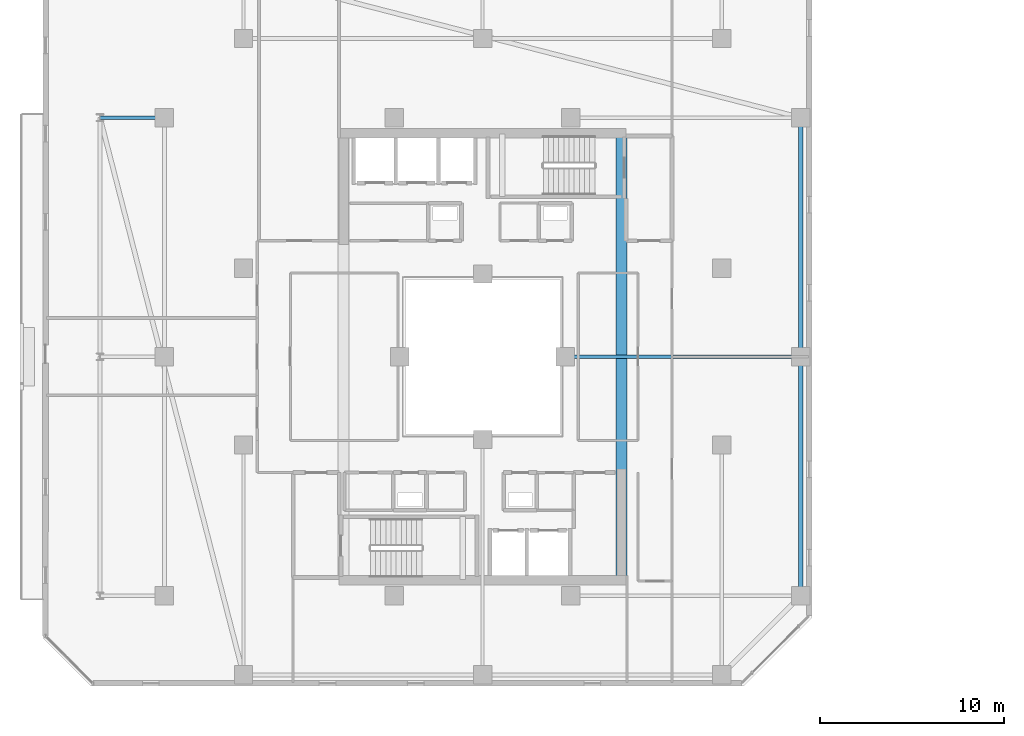
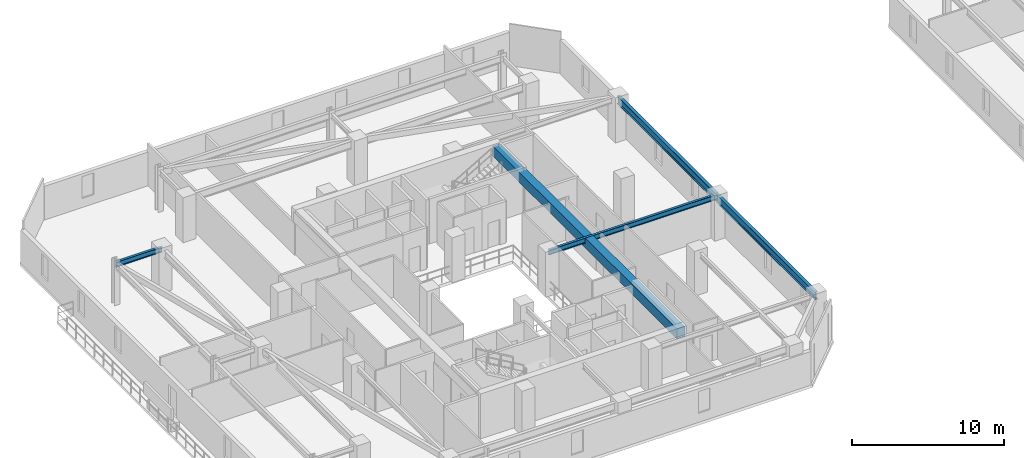
# One storey, part 6 of 33: 5 beams.
"""IFC4 building model written with IfcOpenShell, lengths in metres."""

from ifc_helpers import new_model, si_unit, direction, frame, origin, origin_2d, place, context, subcontext, project, spatial, rectangle, i_section, extrude, material, material_profile, profile_set, type_object, element, save


model = new_model("IFC4")

# Units and contexts
model_context = context("Model", 3, precision=1e-05, world=origin(), true_north=direction((0.0, 1.0)))
body_context = subcontext(model_context, "Body", "Model", "MODEL_VIEW")
ifc_project = project(units=[si_unit("LENGTHUNIT", "METRE"), si_unit("AREAUNIT", "SQUARE_METRE"), si_unit("VOLUMEUNIT", "CUBIC_METRE"), si_unit("PLANEANGLEUNIT", "RADIAN"), si_unit("MASSUNIT", "GRAM", prefix="KILO")], contexts=[model_context])

# Site, building, storey
site_placement = place(None, origin())
site = spatial("IfcSite", under=ifc_project, at=site_placement, CompositionType="ELEMENT")
building_placement = place(site_placement, origin())
building = spatial("IfcBuilding", under=site, at=building_placement, Name="Thornwick Lancets Civic Towers", CompositionType="ELEMENT")
storey_placement = place(building_placement, frame((0.0, 0.0, 207.300048828125)))
storey = spatial("IfcBuildingStorey", under=building, at=storey_placement, Name="L55", CompositionType="ELEMENT", Elevation=207.300048828125)

# Beams
ifc_material_1 = material(Name="Concrete C60/75", Category="concrete")
ifc_material_profile_1 = material_profile(ifc_material_1, rectangle(XDim=0.60009765625, YDim=0.800048828125, at=origin_2d()), Name="RC 600x800")
ifc_profile_set_1 = profile_set([ifc_material_profile_1], Name="Concrete C60/75")
beam_type_1 = type_object("IfcBeamType", Name="BM_COUP_RC800", PredefinedType="BEAM", material=ifc_profile_set_1)
beam_1_placement = place(storey_placement, frame((33.050048828125, 14.89990234375, 2.9599609375), z_axis=(0.0, 1.0, 0.0), x_axis=(-1.0, 0.0, 0.0)))
element("IfcBeam", 1, at=beam_1_placement, inside=storey, type_object=beam_type_1, Name="CB-L55-A1", PredefinedType="BEAM", context=body_context, shape_type="SweptSolid", body=[
    extrude(rectangle(XDim=0.60009765625, YDim=0.800048828125, at=origin_2d()), origin(), (0.0, 0.0, 1.0), 24.2001953125),
])
ifc_material_2 = material(Name="Steel S355JR", Category="steel")
ifc_material_profile_2 = material_profile(ifc_material_2, i_section(OverallWidth=0.230224609375, OverallDepth=0.6171875, WebThickness=0.01318359375, FlangeThickness=0.022216796875, FilletRadius=0.0126953125, at=origin_2d()), Name="UKB 610x229x140")
ifc_profile_set_2 = profile_set([ifc_material_profile_2], Name="Steel S355JR")
beam_type_2 = type_object("IfcBeamType", Name="BM_GIRD_610_140", PredefinedType="BEAM", material=ifc_profile_set_2)
beam_2_placement = place(storey_placement, frame((42.800048828125, 14.0, 3.05126953125), z_axis=(0.0, 1.0, 0.0), x_axis=(-1.0, 0.0, 0.0)))
element("IfcBeam", 2, at=beam_2_placement, inside=storey, type_object=beam_type_2, Name="BM-SPINE-L55-A-3-4", PredefinedType="BEAM", context=body_context, shape_type="SweptSolid", body=[
    extrude(i_section(OverallWidth=0.230224609375, OverallDepth=0.6171875, WebThickness=0.01318359375, FlangeThickness=0.022216796875, FilletRadius=0.0126953125, at=origin_2d()), origin(), (0.0, 0.0, 1.0), 13.0),
])
beam_3_placement = place(storey_placement, frame((42.800048828125, 27.080078125, 3.05126953125), z_axis=(0.0, 1.0, 0.0), x_axis=(-1.0, 0.0, 0.0)))
element("IfcBeam", 3, at=beam_3_placement, inside=storey, type_object=beam_type_2, Name="BM-SPINE-L55-A-4-5", PredefinedType="BEAM", context=body_context, shape_type="SweptSolid", body=[
    extrude(i_section(OverallWidth=0.230224609375, OverallDepth=0.6171875, WebThickness=0.01318359375, FlangeThickness=0.022216796875, FilletRadius=0.0126953125, at=origin_2d()), origin(), (0.0, 0.0, 1.0), 12.919921875),
])
ifc_material_profile_3 = material_profile(ifc_material_2, i_section(OverallWidth=0.179443359375, OverallDepth=0.412841796875, WebThickness=0.009521484375, FlangeThickness=0.01611328125, FilletRadius=0.01025390625, at=origin_2d()), Name="UKB 406x178x74")
ifc_profile_set_3 = profile_set([ifc_material_profile_3], Name="Steel S355JR")
beam_type_3 = type_object("IfcBeamType", Name="BM_JOIST_406_74", PredefinedType="JOIST", material=ifc_profile_set_3)
beam_4_placement = place(storey_placement, frame((30.0, 27.0, 3.153564453125), z_axis=(1.0, 0.0, 0.0), x_axis=(0.0, 1.0, 0.0)))
element("IfcBeam", 4, at=beam_4_placement, inside=storey, type_object=beam_type_3, Name="BM-RADIN-L55-A05", PredefinedType="JOIST", context=body_context, shape_type="SweptSolid", body=[
    extrude(i_section(OverallWidth=0.179443359375, OverallDepth=0.412841796875, WebThickness=0.009521484375, FlangeThickness=0.01611328125, FilletRadius=0.01025390625, at=origin_2d()), origin(), (0.0, 0.0, 1.0), 12.800048828125),
])
beam_5_placement = place(storey_placement, frame((8.199951171875, 40.0, 3.153564453125), z_axis=(-1.0, 0.0, 0.0), x_axis=(0.0, -1.0, 0.0)))
element("IfcBeam", 5, at=beam_5_placement, inside=storey, type_object=beam_type_3, Name="BM-RAD-L55-A12", PredefinedType="JOIST", context=body_context, shape_type="SweptSolid", body=[
    extrude(i_section(OverallWidth=0.179443359375, OverallDepth=0.412841796875, WebThickness=0.009521484375, FlangeThickness=0.01611328125, FilletRadius=0.01025390625, at=origin_2d()), origin(), (0.0, 0.0, 1.0), 3.5),
])

save(model, "model.ifc")
